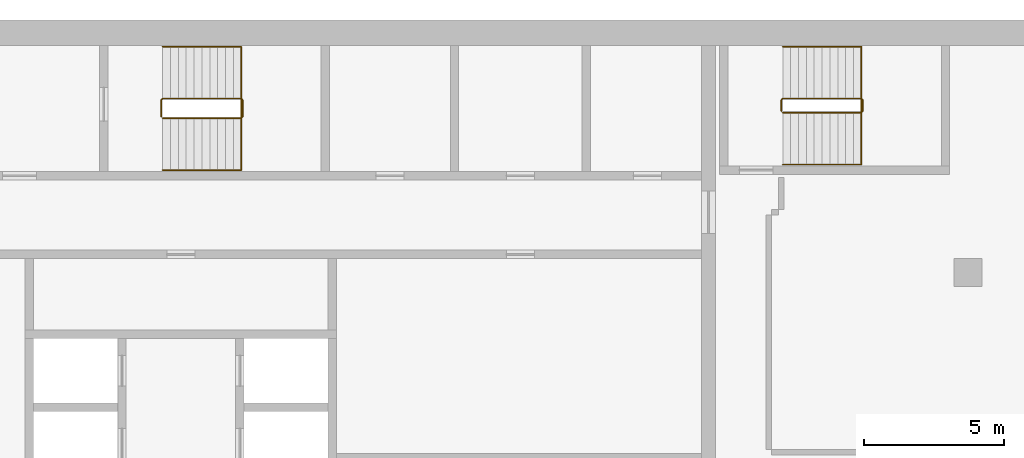
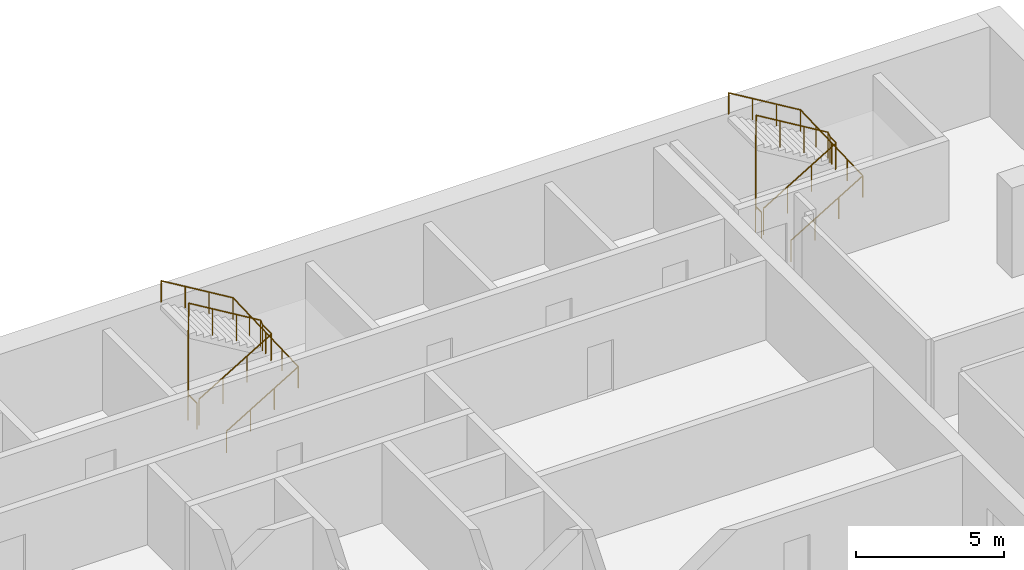
# One storey, part 16 of 16: 4 railings.
"""IFC4 building model written with IfcOpenShell, lengths in metres."""

import ifcopenshell
import ifcopenshell.guid

model = None  # the IFC model being written
_history = None  # IfcOwnerHistory: only IFC2X3 demands one
_inside = {}  # id of a spatial element -> (the spatial element, [elements in it])
_under = {}  # id of a project, library or spatial element -> (it, [spatial elements below it])
_declared = {}  # id of a project -> (the project, [libraries it declares])
_typed = {}  # id of a type object -> (the type object, [elements of that type])
_made_of = {}  # id of a material, layer set ... -> (it, [elements and type objects made of it])


def new_model(schema):
    """Start an empty IFC model of exactly this schema.

    Asked for "IFC4X3", IfcOpenShell would pick the latest addendum, in which some entities
    have other attributes; the version numbers below select the first issue.
    IFC2X3 requires an IfcOwnerHistory on every rooted entity: one is made here for all.
    """
    global model, _history
    if schema == "IFC4X3":
        model = ifcopenshell.file(schema_version=(4, 3, 0, 0))
    else:
        model = ifcopenshell.file(schema=schema)
    _inside.clear()
    _under.clear()
    _declared.clear()
    _typed.clear()
    _made_of.clear()
    _history = None
    if model.schema == "IFC2X3":
        org = make("IfcOrganization", Name="unknown")
        user = make(
            "IfcPersonAndOrganization",
            ThePerson=make("IfcPerson", FamilyName="unknown"),
            TheOrganization=org,
        )
        app = make(
            "IfcApplication",
            ApplicationDeveloper=org,
            Version="unknown",
            ApplicationFullName="unknown",
            ApplicationIdentifier="unknown",
        )
        _history = make(
            "IfcOwnerHistory",
            OwningUser=user,
            OwningApplication=app,
            ChangeAction="ADDED",
            CreationDate=0,
        )
    return model


def make(cls, **values):
    """One entity of the class cls with the attributes given. An attribute that is None is left unset."""
    return model.create_entity(
        cls, **{name: value for name, value in values.items() if value is not None}
    )


def rooted(cls, **values):
    """An entity with a GlobalId (a new one), such as an element, a storey or a relation."""
    return make(cls, GlobalId=ifcopenshell.guid.new(), OwnerHistory=_history, **values)


def si_unit(unit_type, name, prefix=None):
    """IfcSIUnit, for example si_unit("LENGTHUNIT", "METRE", prefix="MILLI")."""
    return make("IfcSIUnit", UnitType=unit_type, Prefix=prefix, Name=name)


def assignment(units):
    """IfcUnitAssignment: the units of a project."""
    return None if units is None else make("IfcUnitAssignment", Units=units)


def point(xyz):
    """IfcCartesianPoint."""
    return None if xyz is None else make("IfcCartesianPoint", Coordinates=xyz)


def direction(xyz):
    """IfcDirection."""
    return None if xyz is None else make("IfcDirection", DirectionRatios=xyz)


def frame(location, z_axis=None, x_axis=None):
    """IfcAxis2Placement3D, a coordinate frame: its origin and axes. An axis left out is left unset."""
    return make(
        "IfcAxis2Placement3D",
        Location=point(location),
        Axis=direction(z_axis),
        RefDirection=direction(x_axis),
    )


def frame_2d(location, x_axis=None):
    """IfcAxis2Placement2D, a coordinate frame in the plane: its origin and x axis."""
    return make(
        "IfcAxis2Placement2D", Location=point(location), RefDirection=direction(x_axis)
    )


def origin():
    """The frame at (0, 0, 0) with its axes left unset."""
    return frame((0.0, 0.0, 0.0))


def origin_2d():
    """The frame at (0, 0) in the plane with its x axis left unset."""
    return frame_2d((0.0, 0.0))


def place(relative_to, where):
    """IfcLocalPlacement: puts the frame where relative to a parent placement (None: the world)."""
    return make(
        "IfcLocalPlacement", PlacementRelTo=relative_to, RelativePlacement=where
    )


def context(
    kind, dimensions, precision=None, world=None, true_north=None, identifier=None
):
    """IfcGeometricRepresentationContext, for example the 3D "Model" context."""
    return make(
        "IfcGeometricRepresentationContext",
        ContextIdentifier=identifier,
        ContextType=kind,
        CoordinateSpaceDimension=dimensions,
        Precision=precision,
        WorldCoordinateSystem=world,
        TrueNorth=true_north,
    )


def subcontext(parent, identifier, kind, view, scale=None):
    """IfcGeometricRepresentationSubContext, for example "Body" below "Model"."""
    return make(
        "IfcGeometricRepresentationSubContext",
        ContextIdentifier=identifier,
        ContextType=kind,
        ParentContext=parent,
        TargetScale=scale,
        TargetView=view,
    )


def project(units=None, contexts=None):
    """IfcProject with its units and contexts."""
    return rooted(
        "IfcProject",
        Name="project",
        RepresentationContexts=contexts,
        UnitsInContext=assignment(units),
    )


def spatial(cls, under=None, at=None, **own):
    """A site, building, storey or space (cls), placed at a placement, below another one or the project."""
    s = rooted(cls, ObjectPlacement=at, **own)
    if under is not None:
        _under.setdefault(under.id(), (under, []))[1].append(s)
    return s


def profile(cls, at=None, kind="AREA", **sizes):
    """A parametric profile (cls). Its sizes go by their IFC names, for example OverallWidth=200.0."""
    return make(cls, ProfileType=kind, Position=at, **sizes)


def circle(**sizes):
    """IfcCircleProfileDef."""
    return profile("IfcCircleProfileDef", **sizes)


def extrude(swept, where, along, depth):
    """IfcExtrudedAreaSolid: the profile swept, set in the frame where, extruded along a direction by depth."""
    return make(
        "IfcExtrudedAreaSolid",
        SweptArea=swept,
        Position=where,
        ExtrudedDirection=direction(along),
        Depth=depth,
    )


def shape(context_of_items, identifier, shape_type, items):
    """IfcShapeRepresentation: the items that make up one representation, for example the "Body"."""
    return make(
        "IfcShapeRepresentation",
        ContextOfItems=context_of_items,
        RepresentationIdentifier=identifier,
        RepresentationType=shape_type,
        Items=items,
    )


def material(Name=None, Category=None):
    """IfcMaterial."""
    return make("IfcMaterial", Name=Name, Category=Category)


def made_of(thing, what):
    """Note that an element or type object is made of a material, layer set ...; save() writes the relation."""
    if what is not None:
        _made_of.setdefault(what.id(), (what, []))[1].append(thing)
    return thing


def type_object(cls, material=None, **own):
    """A type object (cls), such as IfcWallType, which elements share."""
    return made_of(rooted(cls, **own), material)


def element(
    cls,
    number,
    at=None,
    inside=None,
    cuts=None,
    type_object=None,
    material=None,
    context=None,
    identifier="Body",
    shape_type=None,
    held_by="IfcProductDefinitionShape",
    body=None,
    shapes=None,
    **own,
):
    """One element of the class cls, such as IfcWall. Its Tag is "e" and its number.

    at: its placement. inside: the storey or other place that contains it. cuts: it is an
    opening in that element (IfcRelVoidsElement). A single representation is given by context,
    identifier, shape_type and body (its items); several are given by shapes. held_by: the class
    of the entity that holds the representations. save() writes the other relations.
    """
    e = rooted(cls, Tag="e%d" % number, ObjectPlacement=at, **own)
    if body is not None:
        shapes = [shape(context, identifier, shape_type, body)]
    if shapes is not None:
        e.Representation = make(held_by, Representations=shapes)
    if inside is not None:
        _inside.setdefault(inside.id(), (inside, []))[1].append(e)
    if cuts is not None:
        rooted(
            "IfcRelVoidsElement", RelatingBuildingElement=cuts, RelatedOpeningElement=e
        )
    if type_object is not None:
        _typed.setdefault(type_object.id(), (type_object, []))[1].append(e)
    return made_of(e, material)


def aggregate(whole, parts):
    """IfcRelAggregates: a whole, such as a stair, and the parts it consists of."""
    return rooted("IfcRelAggregates", RelatingObject=whole, RelatedObjects=parts)


def save(model, path):
    """Write the relations noted so far, then the file.

    IfcRelAggregates (storeys below a building ...), IfcRelContainedInSpatialStructure (elements
    in a storey), IfcRelDefinesByType, IfcRelAssociatesMaterial and IfcRelDeclares: one each for
    every whole, place, type object, material and project.
    """
    for whole, parts in _under.values():
        aggregate(whole, parts)
    for where, things in _inside.values():
        rooted(
            "IfcRelContainedInSpatialStructure",
            RelatedElements=things,
            RelatingStructure=where,
        )
    for kind, things in _typed.values():
        rooted("IfcRelDefinesByType", RelatedObjects=things, RelatingType=kind)
    for what, things in _made_of.values():
        rooted("IfcRelAssociatesMaterial", RelatedObjects=things, RelatingMaterial=what)
    for by, libraries in _declared.values():
        rooted("IfcRelDeclares", RelatingContext=by, RelatedDefinitions=libraries)
    model.write(path)


model = new_model("IFC4")

# Units and contexts
model_context = context("Model", 3, precision=1e-05, world=origin(), true_north=direction((0.0, 1.0)))
body_context = subcontext(model_context, "Body", "Model", "MODEL_VIEW")
ifc_project = project(units=[si_unit("LENGTHUNIT", "METRE"), si_unit("AREAUNIT", "SQUARE_METRE"), si_unit("VOLUMEUNIT", "CUBIC_METRE"), si_unit("PLANEANGLEUNIT", "RADIAN"), si_unit("MASSUNIT", "GRAM", prefix="KILO")], contexts=[model_context])

# Site, building, storey
site_placement = place(None, origin())
site = spatial("IfcSite", under=ifc_project, at=site_placement, CompositionType="ELEMENT")
building_placement = place(site_placement, origin())
building = spatial("IfcBuilding", under=site, at=building_placement, Name="Hunhe Ridgeline Campus", CompositionType="ELEMENT")
storey_placement = place(building_placement, frame((0.0, 0.0, 257.699951171875)))
storey = spatial("IfcBuildingStorey", under=building, at=storey_placement, Name="L66", CompositionType="ELEMENT", Elevation=257.699951171875)

# Railings
ifc_material_1 = material(Name="Stainless steel balustrade", Category="steel")
railing_type_1 = type_object("IfcRailingType", Name="Stair guard 1100 stainless", PredefinedType="GUARDRAIL", material=ifc_material_1)
railing_1_placement = place(storey_placement, frame((16.300048828125, 95.5, 0.168212890625)))
element("IfcRailing", 1, at=railing_1_placement, inside=storey, type_object=railing_type_1, Name="L66 stair S1 guard", PredefinedType="GUARDRAIL", context=body_context, shape_type="SweptSolid", body=[
    extrude(circle(Radius=0.02392578125, at=origin_2d()), frame((0.0, 0.0, 1.076171875), z_axis=(0.857242210791, 0.0, 0.514913383045), x_axis=(0.0, 1.0, 0.0)), (0.0, 0.0, 1.0), 3.266357421875),
    extrude(circle(Radius=0.02392578125, at=origin_2d()), frame((2.800048828125, 0.0, 2.7578125), z_axis=(0.705375805398, 0.708833529934, 0.0), x_axis=(-0.708833529934, 0.705375805398, 0.0)), (0.0, 0.0, 1.0), 0.070556640625),
    extrude(circle(Radius=0.02392578125, at=origin_2d()), frame((2.849853515625, 0.050048828125, 2.7578125), z_axis=(0.0, 1.0, 0.0), x_axis=(-1.0, 0.0, 0.0)), (0.0, 0.0, 1.0), 0.599853515625),
    extrude(circle(Radius=0.02392578125, at=origin_2d()), frame((2.849853515625, 0.64990234375, 2.7578125), z_axis=(-0.273006030465, 0.27434429532, 0.922064485248), x_axis=(-0.708833529934, -0.705375805398, 0.0)), (0.0, 0.0, 1.0), 0.182373046875),
    extrude(circle(Radius=0.02392578125, at=origin_2d()), frame((2.800048828125, 0.699951171875, 2.92626953125), z_axis=(-0.857275202839, 0.0, 0.514858452973), x_axis=(0.0, -1.0, 0.0)), (0.0, 0.0, 1.0), 3.26611328125),
    extrude(circle(Radius=0.02392578125, at=origin_2d()), frame((0.0, 0.699951171875, 4.60791015625), z_axis=(-0.013524414389, -0.013524414389, -0.999817073484), x_axis=(0.707106781187, -0.707106781187, 0.0)), (0.0, 0.0, 1.0), 3.70068359375),
    extrude(circle(Radius=0.02392578125, at=origin_2d()), frame((-0.050048828125, 0.64990234375, 0.90771484375), z_axis=(0.0, -1.0, 0.0), x_axis=(1.0, 0.0, 0.0)), (0.0, 0.0, 1.0), 0.599853515625),
    extrude(circle(Radius=0.02099609375, at=origin_2d()), origin(), (0.0, 0.0, 1.0), 1.052001953125),
    extrude(circle(Radius=0.02099609375, at=origin_2d()), frame((0.933349609375, 0.0, 0.560546875)), (0.0, 0.0, 1.0), 1.052001953125),
    extrude(circle(Radius=0.02099609375, at=origin_2d()), frame((1.86669921875, 0.0, 1.121337890625)), (0.0, 0.0, 1.0), 1.052001953125),
    extrude(circle(Radius=0.02099609375, at=origin_2d()), frame((2.800048828125, 0.0, 1.681884765625)), (0.0, 0.0, 1.0), 1.052001953125),
    extrude(circle(Radius=0.02099609375, at=origin_2d()), frame((2.849853515625, 0.050048828125, 1.681884765625)), (0.0, 0.0, 1.0), 1.052001953125),
    extrude(circle(Radius=0.02099609375, at=origin_2d()), frame((2.849853515625, 0.64990234375, 1.681884765625)), (0.0, 0.0, 1.0), 1.052001953125),
    extrude(circle(Radius=0.02099609375, at=origin_2d()), frame((2.800048828125, 0.699951171875, 1.85009765625)), (0.0, 0.0, 1.0), 1.052001953125),
    extrude(circle(Radius=0.02099609375, at=origin_2d()), frame((1.86669921875, 0.699951171875, 2.41064453125)), (0.0, 0.0, 1.0), 1.052001953125),
    extrude(circle(Radius=0.02099609375, at=origin_2d()), frame((0.933349609375, 0.699951171875, 2.97119140625)), (0.0, 0.0, 1.0), 1.052001953125),
    extrude(circle(Radius=0.02099609375, at=origin_2d()), frame((0.0, 0.699951171875, 3.53173828125)), (0.0, 0.0, 1.0), 1.052001953125),
    extrude(circle(Radius=0.02099609375, at=origin_2d()), frame((-0.012451171875, 0.6875, 2.606689453125)), (0.0, 0.0, 1.0), 1.052001953125),
    extrude(circle(Radius=0.02099609375, at=origin_2d()), frame((-0.02490234375, 0.6748046875, 1.681640625)), (0.0, 0.0, 1.0), 1.052001953125),
    extrude(circle(Radius=0.02099609375, at=origin_2d()), frame((-0.03759765625, 0.662353515625, 0.7568359375)), (0.0, 0.0, 1.0), 1.052001953125),
    extrude(circle(Radius=0.02099609375, at=origin_2d()), frame((-0.050048828125, 0.64990234375, -0.168212890625)), (0.0, 0.0, 1.0), 1.052001953125),
    extrude(circle(Radius=0.02099609375, at=origin_2d()), frame((-0.050048828125, 0.050048828125, -0.168212890625)), (0.0, 0.0, 1.0), 1.052001953125),
])
railing_2_placement = place(storey_placement, frame((38.39990234375, 95.699951171875, 0.168212890625)))
element("IfcRailing", 2, at=railing_2_placement, inside=storey, type_object=railing_type_1, Name="L66 stair E1 guard", PredefinedType="GUARDRAIL", context=body_context, shape_type="SweptSolid", body=[
    extrude(circle(Radius=0.02392578125, at=origin_2d()), frame((0.0, 0.0, 1.076171875), z_axis=(0.857242210791, 0.0, 0.514913383045), x_axis=(0.0, 1.0, 0.0)), (0.0, 0.0, 1.0), 3.266357421875),
    extrude(circle(Radius=0.02392578125, at=origin_2d()), frame((2.800048828125, 0.0, 2.7578125), z_axis=(0.707106781187, 0.707106781187, 0.0), x_axis=(-0.707106781187, 0.707106781187, 0.0)), (0.0, 0.0, 1.0), 0.07080078125),
    extrude(circle(Radius=0.02392578125, at=origin_2d()), frame((2.85009765625, 0.050048828125, 2.7578125), z_axis=(0.0, 1.0, 0.0), x_axis=(-1.0, 0.0, 0.0)), (0.0, 0.0, 1.0), 0.39990234375),
    extrude(circle(Radius=0.02392578125, at=origin_2d()), frame((2.85009765625, 0.449951171875, 2.7578125), z_axis=(-0.274243871929, 0.274243871929, 0.92172696468), x_axis=(-0.707106781187, -0.707106781187, 0.0)), (0.0, 0.0, 1.0), 0.1826171875),
    extrude(circle(Radius=0.02392578125, at=origin_2d()), frame((2.800048828125, 0.5, 2.92626953125), z_axis=(-0.857275202839, 0.0, 0.514858452973), x_axis=(0.0, -1.0, 0.0)), (0.0, 0.0, 1.0), 3.26611328125),
    extrude(circle(Radius=0.02392578125, at=origin_2d()), frame((0.0, 0.5, 4.60791015625), z_axis=(-0.013458453615, -0.013524426427, -0.999817963389), x_axis=(0.708833529934, -0.705375805398, 0.0)), (0.0, 0.0, 1.0), 3.70068359375),
    extrude(circle(Radius=0.02392578125, at=origin_2d()), frame((-0.0498046875, 0.449951171875, 0.90771484375), z_axis=(0.0, -1.0, 0.0), x_axis=(1.0, 0.0, 0.0)), (0.0, 0.0, 1.0), 0.39990234375),
    extrude(circle(Radius=0.02099609375, at=origin_2d()), origin(), (0.0, 0.0, 1.0), 1.052001953125),
    extrude(circle(Radius=0.02099609375, at=origin_2d()), frame((0.933349609375, 0.0, 0.560546875)), (0.0, 0.0, 1.0), 1.052001953125),
    extrude(circle(Radius=0.02099609375, at=origin_2d()), frame((1.86669921875, 0.0, 1.121337890625)), (0.0, 0.0, 1.0), 1.052001953125),
    extrude(circle(Radius=0.02099609375, at=origin_2d()), frame((2.800048828125, 0.0, 1.681884765625)), (0.0, 0.0, 1.0), 1.052001953125),
    extrude(circle(Radius=0.02099609375, at=origin_2d()), frame((2.85009765625, 0.050048828125, 1.681884765625)), (0.0, 0.0, 1.0), 1.052001953125),
    extrude(circle(Radius=0.02099609375, at=origin_2d()), frame((2.85009765625, 0.449951171875, 1.681884765625)), (0.0, 0.0, 1.0), 1.052001953125),
    extrude(circle(Radius=0.02099609375, at=origin_2d()), frame((2.800048828125, 0.5, 1.85009765625)), (0.0, 0.0, 1.0), 1.052001953125),
    extrude(circle(Radius=0.02099609375, at=origin_2d()), frame((1.86669921875, 0.5, 2.41064453125)), (0.0, 0.0, 1.0), 1.052001953125),
    extrude(circle(Radius=0.02099609375, at=origin_2d()), frame((0.933349609375, 0.5, 2.97119140625)), (0.0, 0.0, 1.0), 1.052001953125),
    extrude(circle(Radius=0.02099609375, at=origin_2d()), frame((0.0, 0.5, 3.53173828125)), (0.0, 0.0, 1.0), 1.052001953125),
    extrude(circle(Radius=0.02099609375, at=origin_2d()), frame((-0.012451171875, 0.487548828125, 2.606689453125)), (0.0, 0.0, 1.0), 1.052001953125),
    extrude(circle(Radius=0.02099609375, at=origin_2d()), frame((-0.02490234375, 0.47509765625, 1.681640625)), (0.0, 0.0, 1.0), 1.052001953125),
    extrude(circle(Radius=0.02099609375, at=origin_2d()), frame((-0.037353515625, 0.46240234375, 0.7568359375)), (0.0, 0.0, 1.0), 1.052001953125),
    extrude(circle(Radius=0.02099609375, at=origin_2d()), frame((-0.0498046875, 0.449951171875, -0.168212890625)), (0.0, 0.0, 1.0), 1.052001953125),
    extrude(circle(Radius=0.02099609375, at=origin_2d()), frame((-0.0498046875, 0.050048828125, -0.168212890625)), (0.0, 0.0, 1.0), 1.052001953125),
])
ifc_material_2 = material(Name="Stainless steel handrail", Category="steel")
railing_type_2 = type_object("IfcRailingType", Name="Stair handrail 900 stainless", PredefinedType="HANDRAIL", material=ifc_material_2)
railing_3_placement = place(storey_placement, frame((16.300048828125, 93.64990234375, 0.168212890625)))
element("IfcRailing", 3, at=railing_3_placement, inside=storey, type_object=railing_type_2, Name="L66 stair S1 handrail", PredefinedType="HANDRAIL", context=body_context, shape_type="SweptSolid", body=[
    extrude(circle(Radius=0.02392578125, at=origin_2d()), frame((0.0, 0.0, 0.8759765625), z_axis=(0.857242210791, 0.0, 0.514913383045), x_axis=(0.0, 1.0, 0.0)), (0.0, 0.0, 1.0), 3.266357421875),
    extrude(circle(Radius=0.02392578125, at=origin_2d()), frame((2.800048828125, 0.0, 2.5576171875), z_axis=(0.0, 0.999270074432, 0.038201025428), x_axis=(-1.0, 0.0, 0.0)), (0.0, 0.0, 1.0), 4.4033203125),
    extrude(circle(Radius=0.02392578125, at=origin_2d()), frame((2.800048828125, 4.400146484375, 2.72607421875), z_axis=(-0.857275202839, 0.0, 0.514858452973), x_axis=(0.0, -1.0, 0.0)), (0.0, 0.0, 1.0), 3.26611328125),
    extrude(circle(Radius=0.02099609375, at=origin_2d()), origin(), (0.0, 0.0, 1.0), 0.851806640625),
    extrude(circle(Radius=0.02099609375, at=origin_2d()), frame((0.933349609375, 0.0, 0.560546875)), (0.0, 0.0, 1.0), 0.851806640625),
    extrude(circle(Radius=0.02099609375, at=origin_2d()), frame((1.86669921875, 0.0, 1.121337890625)), (0.0, 0.0, 1.0), 0.851806640625),
    extrude(circle(Radius=0.02099609375, at=origin_2d()), frame((2.800048828125, 0.0, 1.681884765625)), (0.0, 0.0, 1.0), 0.851806640625),
    extrude(circle(Radius=0.02099609375, at=origin_2d()), frame((2.800048828125, 1.10009765625, 1.723876953125)), (0.0, 0.0, 1.0), 0.851806640625),
    extrude(circle(Radius=0.02099609375, at=origin_2d()), frame((2.800048828125, 2.2001953125, 1.76611328125)), (0.0, 0.0, 1.0), 0.851806640625),
    extrude(circle(Radius=0.02099609375, at=origin_2d()), frame((2.800048828125, 3.300048828125, 1.80810546875)), (0.0, 0.0, 1.0), 0.851806640625),
    extrude(circle(Radius=0.02099609375, at=origin_2d()), frame((2.800048828125, 4.400146484375, 1.85009765625)), (0.0, 0.0, 1.0), 0.851806640625),
    extrude(circle(Radius=0.02099609375, at=origin_2d()), frame((1.86669921875, 4.400146484375, 2.41064453125)), (0.0, 0.0, 1.0), 0.851806640625),
    extrude(circle(Radius=0.02099609375, at=origin_2d()), frame((0.933349609375, 4.400146484375, 2.97119140625)), (0.0, 0.0, 1.0), 0.851806640625),
    extrude(circle(Radius=0.02099609375, at=origin_2d()), frame((0.0, 4.400146484375, 3.53173828125)), (0.0, 0.0, 1.0), 0.851806640625),
])
railing_4_placement = place(storey_placement, frame((38.39990234375, 93.85009765625, 0.168212890625)))
element("IfcRailing", 4, at=railing_4_placement, inside=storey, type_object=railing_type_2, Name="L66 stair E1 handrail", PredefinedType="HANDRAIL", context=body_context, shape_type="SweptSolid", body=[
    extrude(circle(Radius=0.02392578125, at=origin_2d()), frame((0.0, 0.0, 0.8759765625), z_axis=(0.857242210791, 0.0, 0.514913383045), x_axis=(0.0, 1.0, 0.0)), (0.0, 0.0, 1.0), 3.266357421875),
    extrude(circle(Radius=0.02392578125, at=origin_2d()), frame((2.800048828125, 0.0, 2.5576171875), z_axis=(0.0, 0.999198916169, 0.040019069537), x_axis=(-1.0, 0.0, 0.0)), (0.0, 0.0, 1.0), 4.203369140625),
    extrude(circle(Radius=0.02392578125, at=origin_2d()), frame((2.800048828125, 4.199951171875, 2.72607421875), z_axis=(-0.857275202839, 0.0, 0.514858452973), x_axis=(0.0, -1.0, 0.0)), (0.0, 0.0, 1.0), 3.26611328125),
    extrude(circle(Radius=0.02099609375, at=origin_2d()), origin(), (0.0, 0.0, 1.0), 0.851806640625),
    extrude(circle(Radius=0.02099609375, at=origin_2d()), frame((0.933349609375, 0.0, 0.560546875)), (0.0, 0.0, 1.0), 0.851806640625),
    extrude(circle(Radius=0.02099609375, at=origin_2d()), frame((1.86669921875, 0.0, 1.121337890625)), (0.0, 0.0, 1.0), 0.851806640625),
    extrude(circle(Radius=0.02099609375, at=origin_2d()), frame((2.800048828125, 0.0, 1.681884765625)), (0.0, 0.0, 1.0), 0.851806640625),
    extrude(circle(Radius=0.02099609375, at=origin_2d()), frame((2.800048828125, 1.050048828125, 1.723876953125)), (0.0, 0.0, 1.0), 0.851806640625),
    extrude(circle(Radius=0.02099609375, at=origin_2d()), frame((2.800048828125, 2.10009765625, 1.76611328125)), (0.0, 0.0, 1.0), 0.851806640625),
    extrude(circle(Radius=0.02099609375, at=origin_2d()), frame((2.800048828125, 3.14990234375, 1.80810546875)), (0.0, 0.0, 1.0), 0.851806640625),
    extrude(circle(Radius=0.02099609375, at=origin_2d()), frame((2.800048828125, 4.199951171875, 1.85009765625)), (0.0, 0.0, 1.0), 0.851806640625),
    extrude(circle(Radius=0.02099609375, at=origin_2d()), frame((1.86669921875, 4.199951171875, 2.41064453125)), (0.0, 0.0, 1.0), 0.851806640625),
    extrude(circle(Radius=0.02099609375, at=origin_2d()), frame((0.933349609375, 4.199951171875, 2.97119140625)), (0.0, 0.0, 1.0), 0.851806640625),
    extrude(circle(Radius=0.02099609375, at=origin_2d()), frame((0.0, 4.199951171875, 3.53173828125)), (0.0, 0.0, 1.0), 0.851806640625),
])

save(model, "model.ifc")
